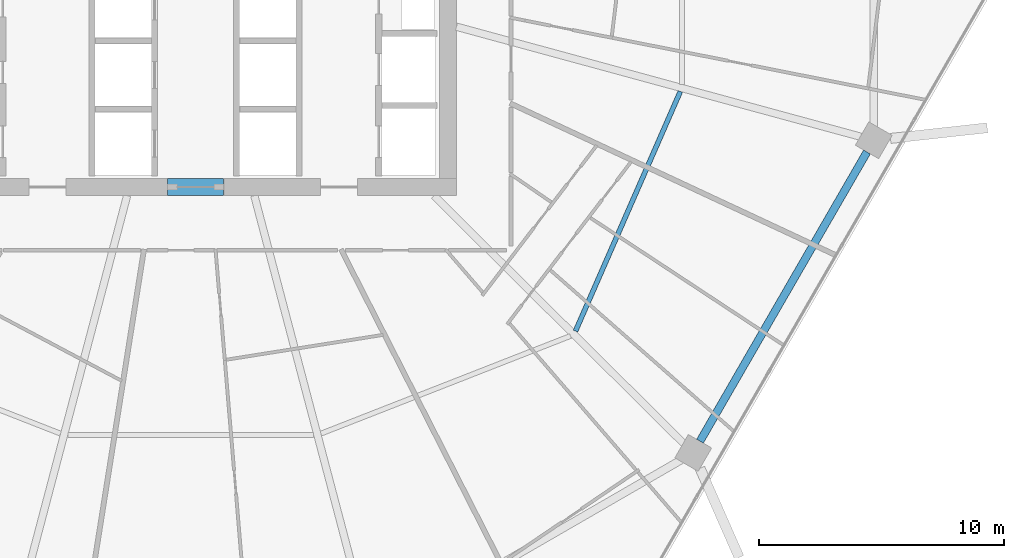
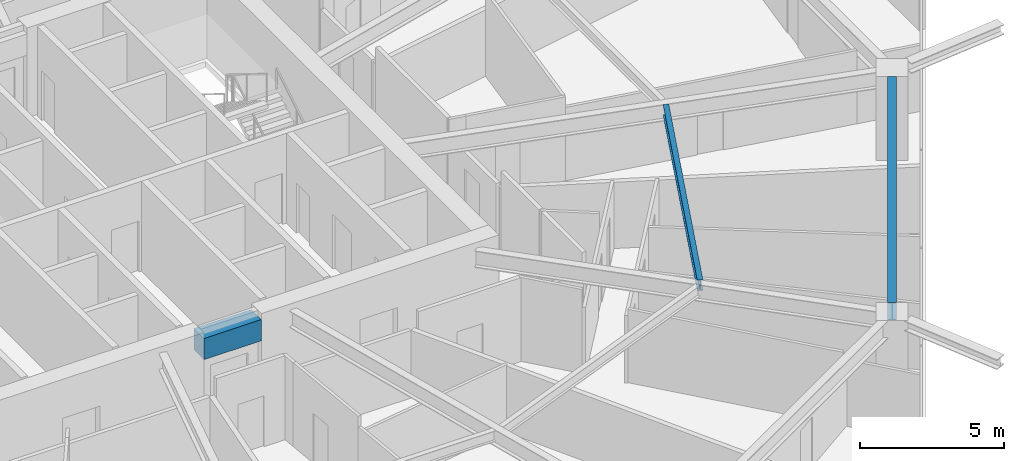
# One storey, part 9 of 29: 3 beams.
"""IFC4 building model written with IfcOpenShell, lengths in metres."""

import ifcopenshell
import ifcopenshell.guid

model = None  # the IFC model being written
_history = None  # IfcOwnerHistory: only IFC2X3 demands one
_inside = {}  # id of a spatial element -> (the spatial element, [elements in it])
_under = {}  # id of a project, library or spatial element -> (it, [spatial elements below it])
_declared = {}  # id of a project -> (the project, [libraries it declares])
_typed = {}  # id of a type object -> (the type object, [elements of that type])
_made_of = {}  # id of a material, layer set ... -> (it, [elements and type objects made of it])


def new_model(schema):
    """Start an empty IFC model of exactly this schema.

    Asked for "IFC4X3", IfcOpenShell would pick the latest addendum, in which some entities
    have other attributes; the version numbers below select the first issue.
    IFC2X3 requires an IfcOwnerHistory on every rooted entity: one is made here for all.
    """
    global model, _history
    if schema == "IFC4X3":
        model = ifcopenshell.file(schema_version=(4, 3, 0, 0))
    else:
        model = ifcopenshell.file(schema=schema)
    _inside.clear()
    _under.clear()
    _declared.clear()
    _typed.clear()
    _made_of.clear()
    _history = None
    if model.schema == "IFC2X3":
        org = make("IfcOrganization", Name="unknown")
        user = make(
            "IfcPersonAndOrganization",
            ThePerson=make("IfcPerson", FamilyName="unknown"),
            TheOrganization=org,
        )
        app = make(
            "IfcApplication",
            ApplicationDeveloper=org,
            Version="unknown",
            ApplicationFullName="unknown",
            ApplicationIdentifier="unknown",
        )
        _history = make(
            "IfcOwnerHistory",
            OwningUser=user,
            OwningApplication=app,
            ChangeAction="ADDED",
            CreationDate=0,
        )
    return model


def make(cls, **values):
    """One entity of the class cls with the attributes given. An attribute that is None is left unset."""
    return model.create_entity(
        cls, **{name: value for name, value in values.items() if value is not None}
    )


def rooted(cls, **values):
    """An entity with a GlobalId (a new one), such as an element, a storey or a relation."""
    return make(cls, GlobalId=ifcopenshell.guid.new(), OwnerHistory=_history, **values)


def si_unit(unit_type, name, prefix=None):
    """IfcSIUnit, for example si_unit("LENGTHUNIT", "METRE", prefix="MILLI")."""
    return make("IfcSIUnit", UnitType=unit_type, Prefix=prefix, Name=name)


def assignment(units):
    """IfcUnitAssignment: the units of a project."""
    return None if units is None else make("IfcUnitAssignment", Units=units)


def point(xyz):
    """IfcCartesianPoint."""
    return None if xyz is None else make("IfcCartesianPoint", Coordinates=xyz)


def direction(xyz):
    """IfcDirection."""
    return None if xyz is None else make("IfcDirection", DirectionRatios=xyz)


def frame(location, z_axis=None, x_axis=None):
    """IfcAxis2Placement3D, a coordinate frame: its origin and axes. An axis left out is left unset."""
    return make(
        "IfcAxis2Placement3D",
        Location=point(location),
        Axis=direction(z_axis),
        RefDirection=direction(x_axis),
    )


def frame_2d(location, x_axis=None):
    """IfcAxis2Placement2D, a coordinate frame in the plane: its origin and x axis."""
    return make(
        "IfcAxis2Placement2D", Location=point(location), RefDirection=direction(x_axis)
    )


def origin():
    """The frame at (0, 0, 0) with its axes left unset."""
    return frame((0.0, 0.0, 0.0))


def origin_2d():
    """The frame at (0, 0) in the plane with its x axis left unset."""
    return frame_2d((0.0, 0.0))


def place(relative_to, where):
    """IfcLocalPlacement: puts the frame where relative to a parent placement (None: the world)."""
    return make(
        "IfcLocalPlacement", PlacementRelTo=relative_to, RelativePlacement=where
    )


def context(
    kind, dimensions, precision=None, world=None, true_north=None, identifier=None
):
    """IfcGeometricRepresentationContext, for example the 3D "Model" context."""
    return make(
        "IfcGeometricRepresentationContext",
        ContextIdentifier=identifier,
        ContextType=kind,
        CoordinateSpaceDimension=dimensions,
        Precision=precision,
        WorldCoordinateSystem=world,
        TrueNorth=true_north,
    )


def subcontext(parent, identifier, kind, view, scale=None):
    """IfcGeometricRepresentationSubContext, for example "Body" below "Model"."""
    return make(
        "IfcGeometricRepresentationSubContext",
        ContextIdentifier=identifier,
        ContextType=kind,
        ParentContext=parent,
        TargetScale=scale,
        TargetView=view,
    )


def project(units=None, contexts=None):
    """IfcProject with its units and contexts."""
    return rooted(
        "IfcProject",
        Name="project",
        RepresentationContexts=contexts,
        UnitsInContext=assignment(units),
    )


def spatial(cls, under=None, at=None, **own):
    """A site, building, storey or space (cls), placed at a placement, below another one or the project."""
    s = rooted(cls, ObjectPlacement=at, **own)
    if under is not None:
        _under.setdefault(under.id(), (under, []))[1].append(s)
    return s


def profile(cls, at=None, kind="AREA", **sizes):
    """A parametric profile (cls). Its sizes go by their IFC names, for example OverallWidth=200.0."""
    return make(cls, ProfileType=kind, Position=at, **sizes)


def rectangle(**sizes):
    """IfcRectangleProfileDef."""
    return profile("IfcRectangleProfileDef", **sizes)


def i_section(**sizes):
    """IfcIShapeProfileDef."""
    return profile("IfcIShapeProfileDef", **sizes)


def extrude(swept, where, along, depth):
    """IfcExtrudedAreaSolid: the profile swept, set in the frame where, extruded along a direction by depth."""
    return make(
        "IfcExtrudedAreaSolid",
        SweptArea=swept,
        Position=where,
        ExtrudedDirection=direction(along),
        Depth=depth,
    )


def shape(context_of_items, identifier, shape_type, items):
    """IfcShapeRepresentation: the items that make up one representation, for example the "Body"."""
    return make(
        "IfcShapeRepresentation",
        ContextOfItems=context_of_items,
        RepresentationIdentifier=identifier,
        RepresentationType=shape_type,
        Items=items,
    )


def material(Name=None, Category=None):
    """IfcMaterial."""
    return make("IfcMaterial", Name=Name, Category=Category)


def material_profile(
    of_material, cross_section, Name=None, Category=None, Priority=None
):
    """IfcMaterialProfile: a cross section and its material."""
    return make(
        "IfcMaterialProfile",
        Name=Name,
        Material=of_material,
        Profile=cross_section,
        Priority=Priority,
        Category=Category,
    )


def profile_set(profiles, Name=None, composite=None):
    """IfcMaterialProfileSet."""
    return make(
        "IfcMaterialProfileSet",
        Name=Name,
        MaterialProfiles=profiles,
        CompositeProfile=composite,
    )


def made_of(thing, what):
    """Note that an element or type object is made of a material, layer set ...; save() writes the relation."""
    if what is not None:
        _made_of.setdefault(what.id(), (what, []))[1].append(thing)
    return thing


def type_object(cls, material=None, **own):
    """A type object (cls), such as IfcWallType, which elements share."""
    return made_of(rooted(cls, **own), material)


def element(
    cls,
    number,
    at=None,
    inside=None,
    cuts=None,
    type_object=None,
    material=None,
    context=None,
    identifier="Body",
    shape_type=None,
    held_by="IfcProductDefinitionShape",
    body=None,
    shapes=None,
    **own,
):
    """One element of the class cls, such as IfcWall. Its Tag is "e" and its number.

    at: its placement. inside: the storey or other place that contains it. cuts: it is an
    opening in that element (IfcRelVoidsElement). A single representation is given by context,
    identifier, shape_type and body (its items); several are given by shapes. held_by: the class
    of the entity that holds the representations. save() writes the other relations.
    """
    e = rooted(cls, Tag="e%d" % number, ObjectPlacement=at, **own)
    if body is not None:
        shapes = [shape(context, identifier, shape_type, body)]
    if shapes is not None:
        e.Representation = make(held_by, Representations=shapes)
    if inside is not None:
        _inside.setdefault(inside.id(), (inside, []))[1].append(e)
    if cuts is not None:
        rooted(
            "IfcRelVoidsElement", RelatingBuildingElement=cuts, RelatedOpeningElement=e
        )
    if type_object is not None:
        _typed.setdefault(type_object.id(), (type_object, []))[1].append(e)
    return made_of(e, material)


def aggregate(whole, parts):
    """IfcRelAggregates: a whole, such as a stair, and the parts it consists of."""
    return rooted("IfcRelAggregates", RelatingObject=whole, RelatedObjects=parts)


def save(model, path):
    """Write the relations noted so far, then the file.

    IfcRelAggregates (storeys below a building ...), IfcRelContainedInSpatialStructure (elements
    in a storey), IfcRelDefinesByType, IfcRelAssociatesMaterial and IfcRelDeclares: one each for
    every whole, place, type object, material and project.
    """
    for whole, parts in _under.values():
        aggregate(whole, parts)
    for where, things in _inside.values():
        rooted(
            "IfcRelContainedInSpatialStructure",
            RelatedElements=things,
            RelatingStructure=where,
        )
    for kind, things in _typed.values():
        rooted("IfcRelDefinesByType", RelatedObjects=things, RelatingType=kind)
    for what, things in _made_of.values():
        rooted("IfcRelAssociatesMaterial", RelatedObjects=things, RelatingMaterial=what)
    for by, libraries in _declared.values():
        rooted("IfcRelDeclares", RelatingContext=by, RelatedDefinitions=libraries)
    model.write(path)


model = new_model("IFC4")

# Units and contexts
model_context = context("Model", 3, precision=1e-05, world=origin(), true_north=direction((0.0, 1.0)))
body_context = subcontext(model_context, "Body", "Model", "MODEL_VIEW")
ifc_project = project(units=[si_unit("LENGTHUNIT", "METRE"), si_unit("AREAUNIT", "SQUARE_METRE"), si_unit("VOLUMEUNIT", "CUBIC_METRE"), si_unit("PLANEANGLEUNIT", "RADIAN"), si_unit("MASSUNIT", "GRAM", prefix="KILO")], contexts=[model_context])

# Site, building, storey
site_placement = place(None, origin())
site = spatial("IfcSite", under=ifc_project, at=site_placement, CompositionType="ELEMENT")
building_placement = place(site_placement, origin())
building = spatial("IfcBuilding", under=site, at=building_placement, Name="Zuhravey Tower", CompositionType="ELEMENT")
storey_placement = place(building_placement, frame((0.0, 0.0, 134.199951171875)))
storey = spatial("IfcBuildingStorey", under=building, at=storey_placement, Name="L33", CompositionType="ELEMENT", Elevation=134.199951171875)

# Beams
ifc_material_1 = material(Name="Concrete C60/75", Category="concrete")
ifc_material_profile_1 = material_profile(ifc_material_1, rectangle(XDim=0.699951171875, YDim=0.89990234375, at=origin_2d()), Name="RC-700x900")
ifc_profile_set_1 = profile_set([ifc_material_profile_1], Name="Concrete C60/75")
beam_type_1 = type_object("IfcBeamType", Name="Core Coupling Beam RC700x900", PredefinedType="LINTEL", material=ifc_profile_set_1)
beam_1_placement = place(storey_placement, frame((35.052001953125, 22.5, 3.10009765625), z_axis=(1.0, 0.0, 0.0), x_axis=(0.0, 1.0, 0.0)))
element("IfcBeam", 1, at=beam_1_placement, inside=storey, type_object=beam_type_1, Name="L33 CB1 BM-L33-CB-S", PredefinedType="LINTEL", context=body_context, shape_type="SweptSolid", body=[
    extrude(rectangle(XDim=0.699951171875, YDim=0.89990234375, at=origin_2d()), origin(), (0.0, 0.0, 1.0), 2.2958984375),
])
ifc_material_2 = material(Name="Steel SM355", Category="steel")
ifc_material_profile_2 = material_profile(ifc_material_2, i_section(OverallWidth=0.320068359375, OverallDepth=0.75, WebThickness=0.013916015625, FlangeThickness=0.02490234375, at=origin_2d()), Name="H-750x320x14x25")
ifc_profile_set_2 = profile_set([ifc_material_profile_2], Name="Steel SM355")
beam_type_2 = type_object("IfcBeamType", Name="Perimeter Ring Beam H750x320", PredefinedType="BEAM", material=ifc_profile_set_2)
beam_2_placement = place(storey_placement, frame((56.79541015625, 12.1220703125, 3.175048828125), z_axis=(0.500008177929, 0.866020682204, 0.0), x_axis=(-0.866020682204, 0.500008177929, 0.0)))
element("IfcBeam", 2, at=beam_2_placement, inside=storey, type_object=beam_type_2, Name="L33 PB1 BM-L33-PB-11", PredefinedType="BEAM", context=body_context, shape_type="SweptSolid", body=[
    extrude(i_section(OverallWidth=0.320068359375, OverallDepth=0.75, WebThickness=0.013916015625, FlangeThickness=0.02490234375, at=origin_2d()), origin(), (0.0, 0.0, 1.0), 13.634033203125),
])
ifc_material_profile_3 = material_profile(ifc_material_2, i_section(OverallWidth=0.199951171875, OverallDepth=0.449951171875, WebThickness=0.009033203125, FlangeThickness=0.013916015625, at=origin_2d()), Name="H-450x200x9x14")
ifc_profile_set_3 = profile_set([ifc_material_profile_3], Name="Steel SM355")
beam_type_3 = type_object("IfcBeamType", Name="Secondary Floor Joist H450x200", PredefinedType="JOIST", material=ifc_profile_set_3)
beam_3_placement = place(storey_placement, frame((51.71044921875, 16.615966796875, 3.324951171875), z_axis=(0.400786454617, 0.916171500209, 0.0), x_axis=(-0.916171500209, 0.400786454617, 0.0)))
element("IfcBeam", 3, at=beam_3_placement, inside=storey, type_object=beam_type_3, Name="L33 SJ1 BM-L33-SJ-11-1", PredefinedType="JOIST", context=body_context, shape_type="SweptSolid", body=[
    extrude(i_section(OverallWidth=0.199951171875, OverallDepth=0.449951171875, WebThickness=0.009033203125, FlangeThickness=0.013916015625, at=origin_2d()), origin(), (0.0, 0.0, 1.0), 10.6796875),
])

save(model, "model.ifc")
